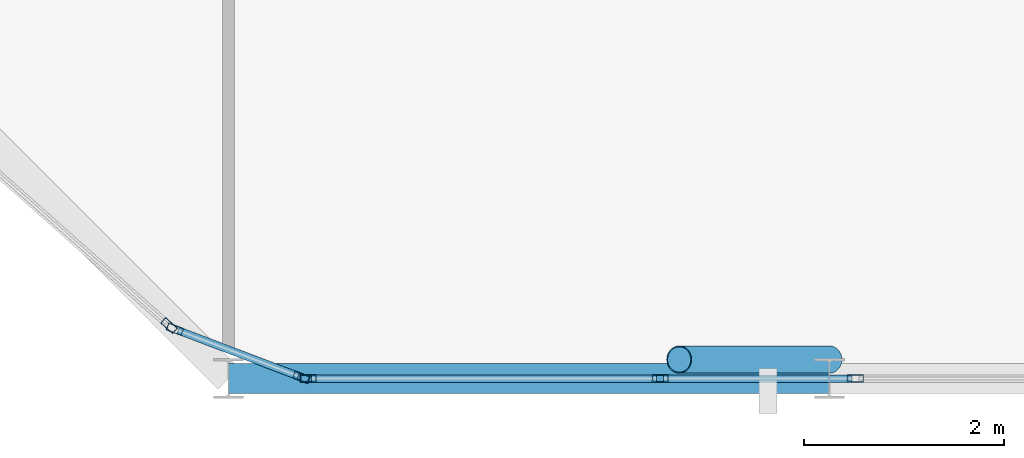
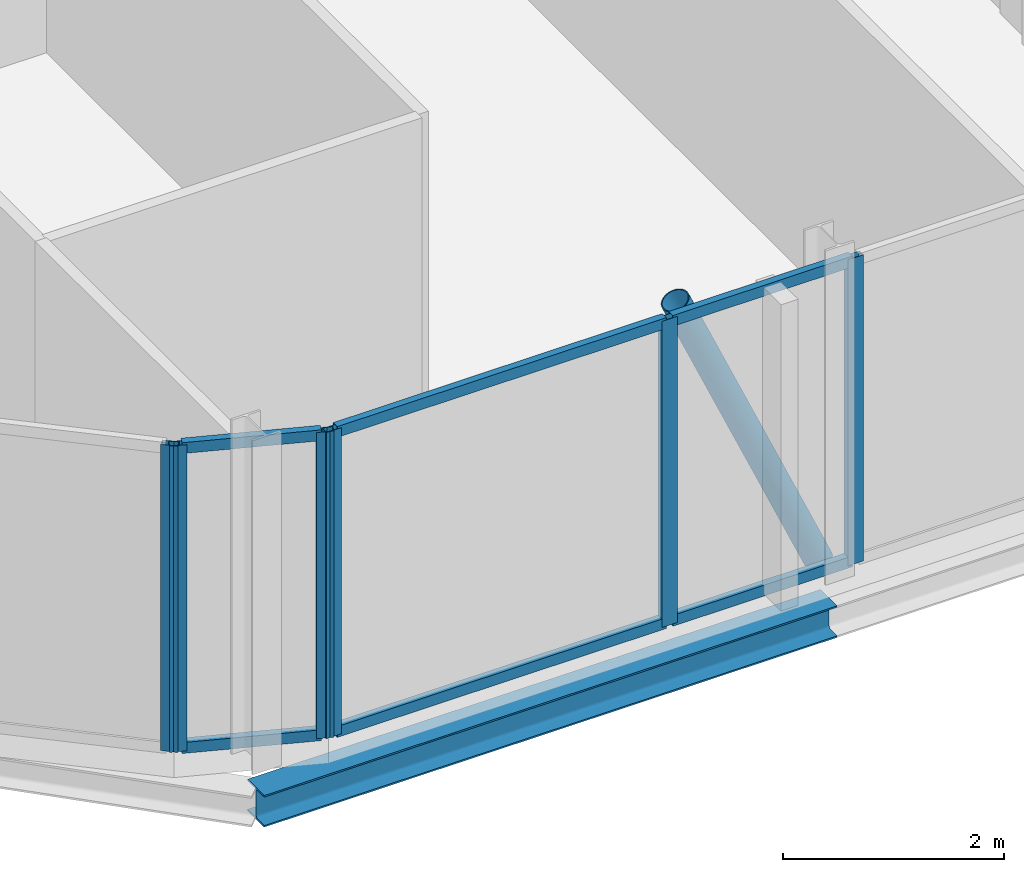
# One storey, part 6 of 28: 13 members, 1 beam, 5 elements without a shape of their own.
"""IFC4 building model written with IfcOpenShell, lengths in metres."""

from ifc_helpers import new_model, si_unit, direction, frame, origin, origin_2d, place, context, subcontext, project, spatial, hollow_rectangle, hollow_circle, i_section, extrude, material, layer, layer_set, material_profile, profile_set, type_object, element, aggregate, save


model = new_model("IFC4")

# Units and contexts
model_context = context("Model", 3, precision=1e-05, world=origin(), true_north=direction((0.0, 1.0)))
body_context = subcontext(model_context, "Body", "Model", "MODEL_VIEW")
ifc_project = project(units=[si_unit("LENGTHUNIT", "METRE"), si_unit("AREAUNIT", "SQUARE_METRE"), si_unit("VOLUMEUNIT", "CUBIC_METRE"), si_unit("PLANEANGLEUNIT", "RADIAN"), si_unit("MASSUNIT", "GRAM", prefix="KILO")], contexts=[model_context])

# Site, building, storey
site_placement = place(None, origin())
site = spatial("IfcSite", under=ifc_project, at=site_placement, CompositionType="ELEMENT")
building_placement = place(site_placement, origin())
building = spatial("IfcBuilding", under=site, at=building_placement, Name="Keshet Zoharim Tower", CompositionType="ELEMENT")
storey_placement = place(building_placement, frame((0.0, 0.0, 303.60009765625)))
storey = spatial("IfcBuildingStorey", under=building, at=storey_placement, Name="L76", CompositionType="ELEMENT", Elevation=303.60009765625)

# Beam
ifc_material_1 = material(Name="Steel S355", Category="steel")
ifc_material_profile_1 = material_profile(ifc_material_1, i_section(OverallWidth=0.300048828125, OverallDepth=0.35009765625, WebThickness=0.010009765625, FlangeThickness=0.017578125, FilletRadius=0.027099609375, at=origin_2d()), Name="HEA360")
ifc_profile_set_1 = profile_set([ifc_material_profile_1], Name="Steel S355")
beam_type = type_object("IfcBeamType", Name="BM-PRI-HA360", PredefinedType="BEAM", material=ifc_profile_set_1)
beam_placement = place(storey_placement, frame((21.0, 6.699951171875, -0.485107421875), z_axis=(1.0, 0.0, 0.0), x_axis=(0.0, 1.0, 0.0)))
element("IfcBeam", 1, at=beam_placement, inside=storey, type_object=beam_type, Name="L76 Primary Girder X-001", PredefinedType="BEAM", context=body_context, shape_type="SweptSolid", body=[
    extrude(i_section(OverallWidth=0.300048828125, OverallDepth=0.35009765625, WebThickness=0.010009765625, FlangeThickness=0.017578125, FilletRadius=0.027099609375, at=origin_2d()), origin(), (0.0, 0.0, 1.0), 6.0),
])

# Curtain wall, member
ifc_material_2 = material(Name="Aluminium 6063-T6", Category="aluminium")
ifc_layer = layer(ifc_material_2, 0.260009765625)
ifc_layer_set = layer_set([ifc_layer], Name="Aluminium 6063-T6")
curtain_wall_type = type_object("IfcCurtainWallType", Name="CW-SYS-06", PredefinedType="NOTDEFINED", material=ifc_layer_set)
curtain_wall_1_placement = place(storey_placement, origin())
curtain_wall_1 = element("IfcCurtainWall", 2, at=curtain_wall_1_placement, inside=storey, type_object=curtain_wall_type, Name="L76 Unitised Curtain Wall 14", PredefinedType="NOTDEFINED")
ifc_material_profile_2 = material_profile(ifc_material_2, hollow_rectangle(XDim=0.074951171875, YDim=0.159912109375, WallThickness=0.00390625, at=origin_2d()), Name="MUL-75x160")
ifc_profile_set_2 = profile_set([ifc_material_profile_2], Name="Aluminium 6063-T6")
member_type_1 = type_object("IfcMemberType", Name="CWM-M15", PredefinedType="MULLION", material=ifc_profile_set_2)
member_1_placement = place(storey_placement, frame((27.259765625, 6.699951171875, 0.0), z_axis=(0.0, 0.0, 1.0), x_axis=(0.0, -1.0, 0.0)))
member_1 = element("IfcMember", 3, at=member_1_placement, type_object=member_type_1, Name="CW-06 mullion 2", PredefinedType="MULLION", context=body_context, shape_type="SweptSolid", body=[
    extrude(hollow_rectangle(XDim=0.074951171875, YDim=0.159912109375, WallThickness=0.00390625, at=origin_2d()), origin(), (0.0, 0.0, 1.0), 3.389892578125),
])
aggregate(curtain_wall_1, [member_1])

curtain_wall_2_placement = place(storey_placement, origin())
curtain_wall_2 = element("IfcCurtainWall", 4, at=curtain_wall_2_placement, inside=storey, type_object=curtain_wall_type, Name="L76 Unitised Curtain Wall 14 Part 2", PredefinedType="NOTDEFINED")
member_2_placement = place(storey_placement, frame((25.310302734375, 6.699951171875, 0.0), z_axis=(0.0, 0.0, 1.0), x_axis=(0.0, -1.0, 0.0)))
member_2 = element("IfcMember", 5, at=member_2_placement, type_object=member_type_1, Name="CW-06 mullion 2", PredefinedType="MULLION", context=body_context, shape_type="SweptSolid", body=[
    extrude(hollow_rectangle(XDim=0.074951171875, YDim=0.159912109375, WallThickness=0.00390625, at=origin_2d()), origin(), (0.0, 0.0, 1.0), 3.389892578125),
])

curtain_wall_3_placement = place(storey_placement, origin())
curtain_wall_3 = element("IfcCurtainWall", 6, at=curtain_wall_3_placement, inside=storey, type_object=curtain_wall_type, Name="L76 Unitised Curtain Wall 14 Part 3", PredefinedType="NOTDEFINED")
member_3_placement = place(storey_placement, frame((21.794921875, 6.699951171875, 0.0), z_axis=(0.0, 0.0, 1.0), x_axis=(0.0, -1.0, 0.0)))
member_3 = element("IfcMember", 7, at=member_3_placement, type_object=member_type_1, Name="CW-06 mullion 2", PredefinedType="MULLION", context=body_context, shape_type="SweptSolid", body=[
    extrude(hollow_rectangle(XDim=0.074951171875, YDim=0.159912109375, WallThickness=0.00390625, at=origin_2d()), origin(), (0.0, 0.0, 1.0), 3.389892578125),
])

# Curtain wall, members
curtain_wall_4_placement = place(storey_placement, origin())
curtain_wall_4 = element("IfcCurtainWall", 8, at=curtain_wall_4_placement, inside=storey, type_object=curtain_wall_type, Name="L76 Unitised Curtain Wall 15", PredefinedType="NOTDEFINED")
member_4_placement = place(storey_placement, frame((21.727294921875, 6.71240234375, 0.0), z_axis=(0.0, 0.0, 1.0), x_axis=(-0.355439161326, -0.934699418314, 0.0)))
member_4 = element("IfcMember", 9, at=member_4_placement, type_object=member_type_1, Name="CW-06 mullion 1", PredefinedType="MULLION", context=body_context, shape_type="SweptSolid", body=[
    extrude(hollow_rectangle(XDim=0.074951171875, YDim=0.159912109375, WallThickness=0.00390625, at=origin_2d()), origin(), (0.0, 0.0, 1.0), 3.389892578125),
])
member_5_placement = place(storey_placement, frame((20.464599609375, 7.192626953125, 0.0), z_axis=(0.0, 0.0, 1.0), x_axis=(-0.355439161326, -0.934699418314, 0.0)))
member_5 = element("IfcMember", 10, at=member_5_placement, type_object=member_type_1, Name="CW-06 mullion 2", PredefinedType="MULLION", context=body_context, shape_type="SweptSolid", body=[
    extrude(hollow_rectangle(XDim=0.074951171875, YDim=0.159912109375, WallThickness=0.00390625, at=origin_2d()), origin(), (0.0, 0.0, 1.0), 3.389892578125),
])

# Curtain wall, member
curtain_wall_5_placement = place(storey_placement, origin())
curtain_wall_5 = element("IfcCurtainWall", 11, at=curtain_wall_5_placement, inside=storey, type_object=curtain_wall_type, Name="L76 Unitised Curtain Wall 16", PredefinedType="NOTDEFINED")
member_6_placement = place(storey_placement, frame((20.40576171875, 7.228271484375, 0.0), z_axis=(0.0, 0.0, 1.0), x_axis=(-0.664362180559, -0.747410792699, 0.0)))
member_6 = element("IfcMember", 12, at=member_6_placement, type_object=member_type_1, Name="CW-06 mullion 1", PredefinedType="MULLION", context=body_context, shape_type="SweptSolid", body=[
    extrude(hollow_rectangle(XDim=0.074951171875, YDim=0.159912109375, WallThickness=0.00390625, at=origin_2d()), origin(), (0.0, 0.0, 1.0), 3.389892578125),
])
aggregate(curtain_wall_5, [member_6])

# Member
ifc_material_profile_3 = material_profile(ifc_material_2, hollow_rectangle(XDim=0.074951171875, YDim=0.1201171875, WallThickness=0.00390625, at=origin_2d()), Name="TRN-75x120")
ifc_profile_set_3 = profile_set([ifc_material_profile_3], Name="Aluminium 6063-T6")
member_type_2 = type_object("IfcMemberType", Name="CWT-T12", PredefinedType="USERDEFINED", material=ifc_profile_set_3)
member_7_placement = place(storey_placement, frame((27.224853515625, 6.699951171875, 0.034912109375), z_axis=(-1.0, 0.0, 0.0), x_axis=(0.0, -1.0, 0.0)))
member_7 = element("IfcMember", 13, at=member_7_placement, type_object=member_type_2, Name="CW-06 transom 1.1", ObjectType="TRANSOM", PredefinedType="USERDEFINED", context=body_context, shape_type="SweptSolid", body=[
    extrude(hollow_rectangle(XDim=0.074951171875, YDim=0.1201171875, WallThickness=0.00390625, at=origin_2d()), origin(), (0.0, 0.0, 1.0), 1.879638671875),
])

member_8_placement = place(storey_placement, frame((27.224853515625, 6.699951171875, 3.35498046875), z_axis=(-1.0, 0.0, 0.0), x_axis=(0.0, -1.0, 0.0)))
member_8 = element("IfcMember", 14, at=member_8_placement, type_object=member_type_2, Name="CW-06 transom 1.2", ObjectType="TRANSOM", PredefinedType="USERDEFINED", context=body_context, shape_type="SweptSolid", body=[
    extrude(hollow_rectangle(XDim=0.074951171875, YDim=0.1201171875, WallThickness=0.00390625, at=origin_2d()), origin(), (0.0, 0.0, 1.0), 1.879638671875),
])

aggregate(curtain_wall_2, [member_2, member_7, member_8])

member_9_placement = place(storey_placement, frame((25.275146484375, 6.699951171875, 0.034912109375), z_axis=(-1.0, 0.0, 0.0), x_axis=(0.0, -1.0, 0.0)))
member_9 = element("IfcMember", 15, at=member_9_placement, type_object=member_type_2, Name="CW-06 transom 1.1", ObjectType="TRANSOM", PredefinedType="USERDEFINED", context=body_context, shape_type="SweptSolid", body=[
    extrude(hollow_rectangle(XDim=0.074951171875, YDim=0.1201171875, WallThickness=0.00390625, at=origin_2d()), origin(), (0.0, 0.0, 1.0), 3.445068359375),
])

member_10_placement = place(storey_placement, frame((25.275146484375, 6.699951171875, 3.35498046875), z_axis=(-1.0, 0.0, 0.0), x_axis=(0.0, -1.0, 0.0)))
member_10 = element("IfcMember", 16, at=member_10_placement, type_object=member_type_2, Name="CW-06 transom 1.2", ObjectType="TRANSOM", PredefinedType="USERDEFINED", context=body_context, shape_type="SweptSolid", body=[
    extrude(hollow_rectangle(XDim=0.074951171875, YDim=0.1201171875, WallThickness=0.00390625, at=origin_2d()), origin(), (0.0, 0.0, 1.0), 3.445068359375),
])

aggregate(curtain_wall_3, [member_3, member_9, member_10])

member_11_placement = place(storey_placement, frame((21.694580078125, 6.724853515625, 0.034912109375), z_axis=(-0.934689881536, 0.355464239206, 0.0), x_axis=(-0.355464239206, -0.934689881536, 0.0)))
member_11 = element("IfcMember", 17, at=member_11_placement, type_object=member_type_2, Name="CW-06 transom 1.1", ObjectType="TRANSOM", PredefinedType="USERDEFINED", context=body_context, shape_type="SweptSolid", body=[
    extrude(hollow_rectangle(XDim=0.074951171875, YDim=0.1201171875, WallThickness=0.00390625, at=origin_2d()), origin(), (0.0, 0.0, 1.0), 1.281005859375),
])

member_12_placement = place(storey_placement, frame((21.694580078125, 6.724853515625, 3.35498046875), z_axis=(-0.934689881536, 0.355464239206, 0.0), x_axis=(-0.355464239206, -0.934689881536, 0.0)))
member_12 = element("IfcMember", 18, at=member_12_placement, type_object=member_type_2, Name="CW-06 transom 1.2", ObjectType="TRANSOM", PredefinedType="USERDEFINED", context=body_context, shape_type="SweptSolid", body=[
    extrude(hollow_rectangle(XDim=0.074951171875, YDim=0.1201171875, WallThickness=0.00390625, at=origin_2d()), origin(), (0.0, 0.0, 1.0), 1.281005859375),
])

aggregate(curtain_wall_4, [member_4, member_5, member_11, member_12])

ifc_material_profile_4 = material_profile(ifc_material_1, hollow_circle(Radius=0.136474609375, WallThickness=0.010009765625, at=origin_2d()), Name="CHS273x10")
ifc_profile_set_4 = profile_set([ifc_material_profile_4], Name="Steel S355")
member_type_3 = type_object("IfcMemberType", Name="MB-BR-C273", PredefinedType="BRACE", material=ifc_profile_set_4)
member_13_placement = place(storey_placement, frame((27.0, 6.889892578125, 0.0), z_axis=(-0.40464689807, 0.0, 0.914473011019), x_axis=(0.0, -1.0, 0.0)))
element("IfcMember", 19, at=member_13_placement, inside=storey, type_object=member_type_3, Name="L76 Perimeter Tube Brace 02", PredefinedType="BRACE", context=body_context, shape_type="SweptSolid", body=[
    extrude(hollow_circle(Radius=0.136474609375, WallThickness=0.010009765625, at=origin_2d()), origin(), (0.0, 0.0, 1.0), 3.70703125),
])

save(model, "model.ifc")
